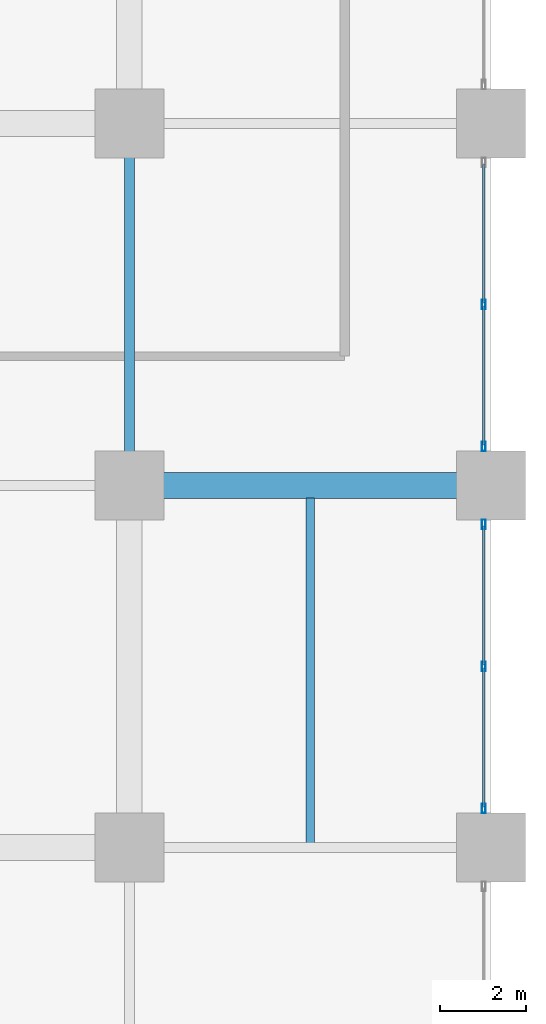
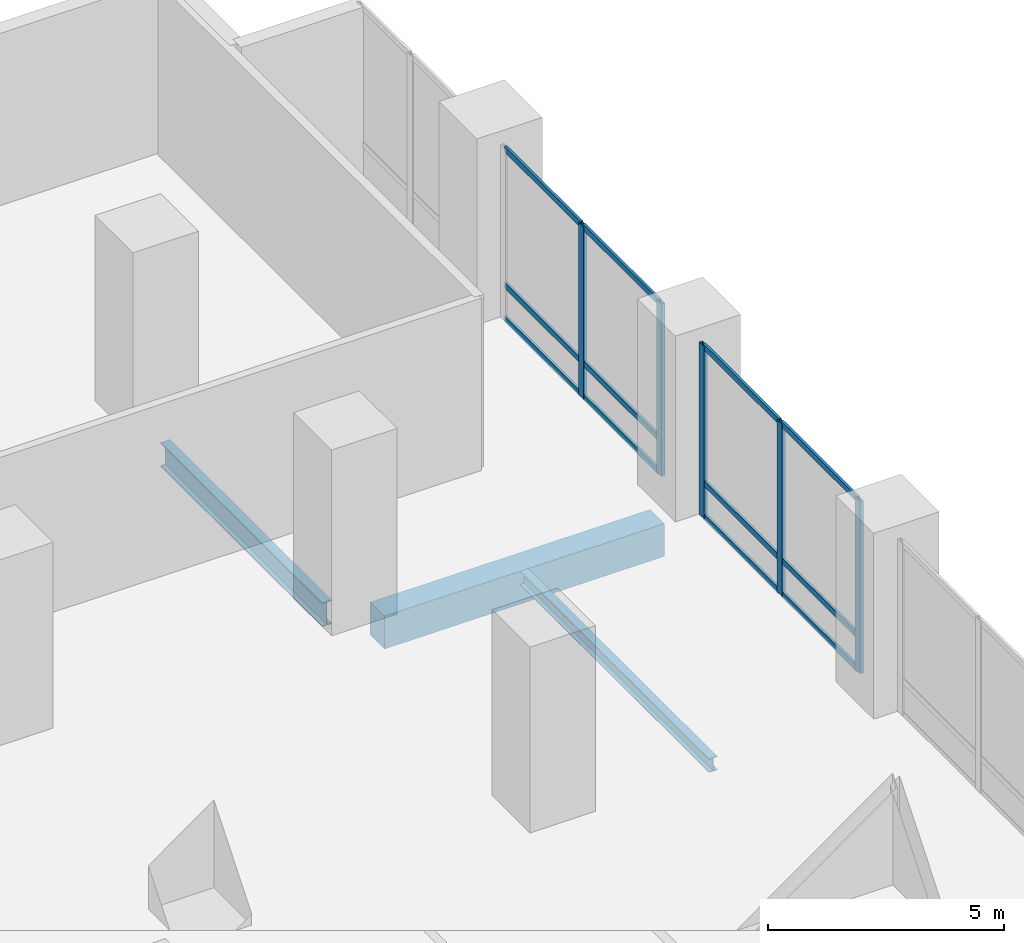
# One storey, part 5 of 22: 17 members, 3 beams, 2 elements without a shape of their own.
"""IFC4 building model written with IfcOpenShell, lengths in metres."""

import ifcopenshell
import ifcopenshell.guid

model = None  # the IFC model being written
_history = None  # IfcOwnerHistory: only IFC2X3 demands one
_inside = {}  # id of a spatial element -> (the spatial element, [elements in it])
_under = {}  # id of a project, library or spatial element -> (it, [spatial elements below it])
_declared = {}  # id of a project -> (the project, [libraries it declares])
_typed = {}  # id of a type object -> (the type object, [elements of that type])
_made_of = {}  # id of a material, layer set ... -> (it, [elements and type objects made of it])


def new_model(schema):
    """Start an empty IFC model of exactly this schema.

    Asked for "IFC4X3", IfcOpenShell would pick the latest addendum, in which some entities
    have other attributes; the version numbers below select the first issue.
    IFC2X3 requires an IfcOwnerHistory on every rooted entity: one is made here for all.
    """
    global model, _history
    if schema == "IFC4X3":
        model = ifcopenshell.file(schema_version=(4, 3, 0, 0))
    else:
        model = ifcopenshell.file(schema=schema)
    _inside.clear()
    _under.clear()
    _declared.clear()
    _typed.clear()
    _made_of.clear()
    _history = None
    if model.schema == "IFC2X3":
        org = make("IfcOrganization", Name="unknown")
        user = make(
            "IfcPersonAndOrganization",
            ThePerson=make("IfcPerson", FamilyName="unknown"),
            TheOrganization=org,
        )
        app = make(
            "IfcApplication",
            ApplicationDeveloper=org,
            Version="unknown",
            ApplicationFullName="unknown",
            ApplicationIdentifier="unknown",
        )
        _history = make(
            "IfcOwnerHistory",
            OwningUser=user,
            OwningApplication=app,
            ChangeAction="ADDED",
            CreationDate=0,
        )
    return model


def make(cls, **values):
    """One entity of the class cls with the attributes given. An attribute that is None is left unset."""
    return model.create_entity(
        cls, **{name: value for name, value in values.items() if value is not None}
    )


def rooted(cls, **values):
    """An entity with a GlobalId (a new one), such as an element, a storey or a relation."""
    return make(cls, GlobalId=ifcopenshell.guid.new(), OwnerHistory=_history, **values)


def si_unit(unit_type, name, prefix=None):
    """IfcSIUnit, for example si_unit("LENGTHUNIT", "METRE", prefix="MILLI")."""
    return make("IfcSIUnit", UnitType=unit_type, Prefix=prefix, Name=name)


def assignment(units):
    """IfcUnitAssignment: the units of a project."""
    return None if units is None else make("IfcUnitAssignment", Units=units)


def point(xyz):
    """IfcCartesianPoint."""
    return None if xyz is None else make("IfcCartesianPoint", Coordinates=xyz)


def direction(xyz):
    """IfcDirection."""
    return None if xyz is None else make("IfcDirection", DirectionRatios=xyz)


def frame(location, z_axis=None, x_axis=None):
    """IfcAxis2Placement3D, a coordinate frame: its origin and axes. An axis left out is left unset."""
    return make(
        "IfcAxis2Placement3D",
        Location=point(location),
        Axis=direction(z_axis),
        RefDirection=direction(x_axis),
    )


def frame_2d(location, x_axis=None):
    """IfcAxis2Placement2D, a coordinate frame in the plane: its origin and x axis."""
    return make(
        "IfcAxis2Placement2D", Location=point(location), RefDirection=direction(x_axis)
    )


def origin():
    """The frame at (0, 0, 0) with its axes left unset."""
    return frame((0.0, 0.0, 0.0))


def origin_2d():
    """The frame at (0, 0) in the plane with its x axis left unset."""
    return frame_2d((0.0, 0.0))


def place(relative_to, where):
    """IfcLocalPlacement: puts the frame where relative to a parent placement (None: the world)."""
    return make(
        "IfcLocalPlacement", PlacementRelTo=relative_to, RelativePlacement=where
    )


def context(
    kind, dimensions, precision=None, world=None, true_north=None, identifier=None
):
    """IfcGeometricRepresentationContext, for example the 3D "Model" context."""
    return make(
        "IfcGeometricRepresentationContext",
        ContextIdentifier=identifier,
        ContextType=kind,
        CoordinateSpaceDimension=dimensions,
        Precision=precision,
        WorldCoordinateSystem=world,
        TrueNorth=true_north,
    )


def subcontext(parent, identifier, kind, view, scale=None):
    """IfcGeometricRepresentationSubContext, for example "Body" below "Model"."""
    return make(
        "IfcGeometricRepresentationSubContext",
        ContextIdentifier=identifier,
        ContextType=kind,
        ParentContext=parent,
        TargetScale=scale,
        TargetView=view,
    )


def project(units=None, contexts=None):
    """IfcProject with its units and contexts."""
    return rooted(
        "IfcProject",
        Name="project",
        RepresentationContexts=contexts,
        UnitsInContext=assignment(units),
    )


def spatial(cls, under=None, at=None, **own):
    """A site, building, storey or space (cls), placed at a placement, below another one or the project."""
    s = rooted(cls, ObjectPlacement=at, **own)
    if under is not None:
        _under.setdefault(under.id(), (under, []))[1].append(s)
    return s


def profile(cls, at=None, kind="AREA", **sizes):
    """A parametric profile (cls). Its sizes go by their IFC names, for example OverallWidth=200.0."""
    return make(cls, ProfileType=kind, Position=at, **sizes)


def rectangle(**sizes):
    """IfcRectangleProfileDef."""
    return profile("IfcRectangleProfileDef", **sizes)


def hollow_rectangle(**sizes):
    """IfcRectangleHollowProfileDef."""
    return profile("IfcRectangleHollowProfileDef", **sizes)


def i_section(**sizes):
    """IfcIShapeProfileDef."""
    return profile("IfcIShapeProfileDef", **sizes)


def extrude(swept, where, along, depth):
    """IfcExtrudedAreaSolid: the profile swept, set in the frame where, extruded along a direction by depth."""
    return make(
        "IfcExtrudedAreaSolid",
        SweptArea=swept,
        Position=where,
        ExtrudedDirection=direction(along),
        Depth=depth,
    )


def shape(context_of_items, identifier, shape_type, items):
    """IfcShapeRepresentation: the items that make up one representation, for example the "Body"."""
    return make(
        "IfcShapeRepresentation",
        ContextOfItems=context_of_items,
        RepresentationIdentifier=identifier,
        RepresentationType=shape_type,
        Items=items,
    )


def material(Name=None, Category=None):
    """IfcMaterial."""
    return make("IfcMaterial", Name=Name, Category=Category)


def layer(
    of_material, thickness, ventilated=None, Name=None, Category=None, Priority=None
):
    """IfcMaterialLayer: one layer of a wall or slab, of a material (None: an air gap)."""
    return make(
        "IfcMaterialLayer",
        Material=of_material,
        LayerThickness=thickness,
        IsVentilated=ventilated,
        Name=Name,
        Category=Category,
        Priority=Priority,
    )


def layer_set(layers, Name=None):
    """IfcMaterialLayerSet."""
    return make("IfcMaterialLayerSet", MaterialLayers=layers, LayerSetName=Name)


def material_profile(
    of_material, cross_section, Name=None, Category=None, Priority=None
):
    """IfcMaterialProfile: a cross section and its material."""
    return make(
        "IfcMaterialProfile",
        Name=Name,
        Material=of_material,
        Profile=cross_section,
        Priority=Priority,
        Category=Category,
    )


def profile_set(profiles, Name=None, composite=None):
    """IfcMaterialProfileSet."""
    return make(
        "IfcMaterialProfileSet",
        Name=Name,
        MaterialProfiles=profiles,
        CompositeProfile=composite,
    )


def made_of(thing, what):
    """Note that an element or type object is made of a material, layer set ...; save() writes the relation."""
    if what is not None:
        _made_of.setdefault(what.id(), (what, []))[1].append(thing)
    return thing


def type_object(cls, material=None, **own):
    """A type object (cls), such as IfcWallType, which elements share."""
    return made_of(rooted(cls, **own), material)


def element(
    cls,
    number,
    at=None,
    inside=None,
    cuts=None,
    type_object=None,
    material=None,
    context=None,
    identifier="Body",
    shape_type=None,
    held_by="IfcProductDefinitionShape",
    body=None,
    shapes=None,
    **own,
):
    """One element of the class cls, such as IfcWall. Its Tag is "e" and its number.

    at: its placement. inside: the storey or other place that contains it. cuts: it is an
    opening in that element (IfcRelVoidsElement). A single representation is given by context,
    identifier, shape_type and body (its items); several are given by shapes. held_by: the class
    of the entity that holds the representations. save() writes the other relations.
    """
    e = rooted(cls, Tag="e%d" % number, ObjectPlacement=at, **own)
    if body is not None:
        shapes = [shape(context, identifier, shape_type, body)]
    if shapes is not None:
        e.Representation = make(held_by, Representations=shapes)
    if inside is not None:
        _inside.setdefault(inside.id(), (inside, []))[1].append(e)
    if cuts is not None:
        rooted(
            "IfcRelVoidsElement", RelatingBuildingElement=cuts, RelatedOpeningElement=e
        )
    if type_object is not None:
        _typed.setdefault(type_object.id(), (type_object, []))[1].append(e)
    return made_of(e, material)


def aggregate(whole, parts):
    """IfcRelAggregates: a whole, such as a stair, and the parts it consists of."""
    return rooted("IfcRelAggregates", RelatingObject=whole, RelatedObjects=parts)


def save(model, path):
    """Write the relations noted so far, then the file.

    IfcRelAggregates (storeys below a building ...), IfcRelContainedInSpatialStructure (elements
    in a storey), IfcRelDefinesByType, IfcRelAssociatesMaterial and IfcRelDeclares: one each for
    every whole, place, type object, material and project.
    """
    for whole, parts in _under.values():
        aggregate(whole, parts)
    for where, things in _inside.values():
        rooted(
            "IfcRelContainedInSpatialStructure",
            RelatedElements=things,
            RelatingStructure=where,
        )
    for kind, things in _typed.values():
        rooted("IfcRelDefinesByType", RelatedObjects=things, RelatingType=kind)
    for what, things in _made_of.values():
        rooted("IfcRelAssociatesMaterial", RelatedObjects=things, RelatingMaterial=what)
    for by, libraries in _declared.values():
        rooted("IfcRelDeclares", RelatingContext=by, RelatedDefinitions=libraries)
    model.write(path)


model = new_model("IFC4")

# Units and contexts
model_context = context("Model", 3, precision=1e-05, world=origin(), true_north=direction((0.0, 1.0)))
body_context = subcontext(model_context, "Body", "Model", "MODEL_VIEW")
ifc_project = project(units=[si_unit("LENGTHUNIT", "METRE"), si_unit("AREAUNIT", "SQUARE_METRE"), si_unit("VOLUMEUNIT", "CUBIC_METRE"), si_unit("PLANEANGLEUNIT", "RADIAN"), si_unit("MASSUNIT", "GRAM", prefix="KILO")], contexts=[model_context])

# Site, building, storey
site_placement = place(None, origin())
site = spatial("IfcSite", under=ifc_project, at=site_placement, CompositionType="ELEMENT")
building_placement = place(site_placement, origin())
building = spatial("IfcBuilding", under=site, at=building_placement, Name="Koriwani Terraces Tower", CompositionType="ELEMENT")
storey_placement = place(building_placement, frame((0.0, 0.0, 10.800048828125)))
storey = spatial("IfcBuildingStorey", under=building, at=storey_placement, Name="L02", CompositionType="ELEMENT", Elevation=10.800048828125)

# Beam
ifc_material_1 = material(Name="Concrete C60/75", Category="concrete")
ifc_material_profile_1 = material_profile(ifc_material_1, rectangle(XDim=0.60009765625, YDim=0.85009765625, at=origin_2d()), Name="Concrete C60/75", Category="LoadBearing")
ifc_profile_set_1 = profile_set([ifc_material_profile_1], Name="Concrete C60/75")
beam_type_1 = type_object("IfcBeamType", Name="BEAM_RC_GRID_600X850", PredefinedType="BEAM", material=ifc_profile_set_1)
beam_1_placement = place(storey_placement, frame((84.780029296875, 25.199951171875, -0.775146484375), z_axis=(1.0, 0.0, 0.0), x_axis=(0.0, 1.0, 0.0)))
element("IfcBeam", 1, at=beam_1_placement, inside=storey, type_object=beam_type_1, Name="L02 Grid Beam D (84.0-92.4m)", PredefinedType="BEAM", context=body_context, shape_type="SweptSolid", body=[
    extrude(rectangle(XDim=0.60009765625, YDim=0.85009765625, at=origin_2d()), origin(), (0.0, 0.0, 1.0), 6.840087890625),
])

# Curtain wall, members
ifc_material_2 = material(Name="Anodised Bronze Aluminium", Category="aluminium")
ifc_layer = layer(ifc_material_2, 0.199951171875, Name="Anodised Bronze Aluminium")
ifc_layer_set = layer_set([ifc_layer], Name="Anodised Bronze Aluminium")
curtain_wall_type = type_object("IfcCurtainWallType", Name="CW_PODIUM_GALLERIA", PredefinedType="NOTDEFINED", material=ifc_layer_set)
curtain_wall_1_placement = place(storey_placement, origin())
curtain_wall_1 = element("IfcCurtainWall", 2, at=curtain_wall_1_placement, inside=storey, type_object=curtain_wall_type, Name="L02 Unitised Curtain Wall (E_TIP) Bay 2", PredefinedType="NOTDEFINED")
ifc_material_profile_2 = material_profile(ifc_material_2, hollow_rectangle(XDim=0.0849609375, YDim=0.219970703125, WallThickness=0.008056640625, at=origin_2d()), Name="Anodised Bronze Aluminium", Category="LoadBearing")
ifc_profile_set_2 = profile_set([ifc_material_profile_2], Name="Anodised Bronze Aluminium")
member_type_1 = type_object("IfcMemberType", Name="CW_MULLION_220X85", PredefinedType="MULLION", material=ifc_profile_set_2)
member_1_placement = place(storey_placement, frame((92.22509765625, 29.39990234375, 0.0), z_axis=(0.0, 0.0, 1.0), x_axis=(1.0, 0.0, 0.0)))
member_1 = element("IfcMember", 3, at=member_1_placement, type_object=member_type_1, Name="CW-POD mullion 2", PredefinedType="MULLION", context=body_context, shape_type="SweptSolid", body=[
    extrude(hollow_rectangle(XDim=0.0849609375, YDim=0.219970703125, WallThickness=0.008056640625, at=origin_2d()), origin(), (0.0, 0.0, 1.0), 4.449951171875),
])
member_2_placement = place(storey_placement, frame((92.22509765625, 26.1025390625, 0.0), z_axis=(0.0, 0.0, 1.0), x_axis=(1.0, 0.0, 0.0)))
member_2 = element("IfcMember", 4, at=member_2_placement, type_object=member_type_1, Name="CW-POD mullion 3", PredefinedType="MULLION", context=body_context, shape_type="SweptSolid", body=[
    extrude(hollow_rectangle(XDim=0.0849609375, YDim=0.219970703125, WallThickness=0.008056640625, at=origin_2d()), origin(), (0.0, 0.0, 1.0), 4.449951171875),
])

curtain_wall_2_placement = place(storey_placement, origin())
curtain_wall_2 = element("IfcCurtainWall", 5, at=curtain_wall_2_placement, inside=storey, type_object=curtain_wall_type, Name="L02 Unitised Curtain Wall (E_TIP) Bay 3", PredefinedType="NOTDEFINED")
member_3_placement = place(storey_placement, frame((92.22509765625, 24.297607421875, 0.0), z_axis=(0.0, 0.0, 1.0), x_axis=(1.0, 0.0, 0.0)))
member_3 = element("IfcMember", 6, at=member_3_placement, type_object=member_type_1, Name="CW-POD mullion 1", PredefinedType="MULLION", context=body_context, shape_type="SweptSolid", body=[
    extrude(hollow_rectangle(XDim=0.0849609375, YDim=0.219970703125, WallThickness=0.008056640625, at=origin_2d()), origin(), (0.0, 0.0, 1.0), 4.449951171875),
])
member_4_placement = place(storey_placement, frame((92.22509765625, 21.0, 0.0), z_axis=(0.0, 0.0, 1.0), x_axis=(1.0, 0.0, 0.0)))
member_4 = element("IfcMember", 7, at=member_4_placement, type_object=member_type_1, Name="CW-POD mullion 2", PredefinedType="MULLION", context=body_context, shape_type="SweptSolid", body=[
    extrude(hollow_rectangle(XDim=0.0849609375, YDim=0.219970703125, WallThickness=0.008056640625, at=origin_2d()), origin(), (0.0, 0.0, 1.0), 4.449951171875),
])
member_5_placement = place(storey_placement, frame((92.22509765625, 17.702392578125, 0.0), z_axis=(0.0, 0.0, 1.0), x_axis=(1.0, 0.0, 0.0)))
member_5 = element("IfcMember", 8, at=member_5_placement, type_object=member_type_1, Name="CW-POD mullion 3", PredefinedType="MULLION", context=body_context, shape_type="SweptSolid", body=[
    extrude(hollow_rectangle(XDim=0.0849609375, YDim=0.219970703125, WallThickness=0.008056640625, at=origin_2d()), origin(), (0.0, 0.0, 1.0), 4.449951171875),
])

# Member
ifc_material_profile_3 = material_profile(ifc_material_2, hollow_rectangle(XDim=0.06494140625, YDim=0.14990234375, WallThickness=0.0048828125, at=origin_2d()), Name="Anodised Bronze Aluminium", Category="LoadBearing")
ifc_profile_set_3 = profile_set([ifc_material_profile_3], Name="Anodised Bronze Aluminium")
member_type_2 = type_object("IfcMemberType", Name="CW_TRANSOM_150X65", PredefinedType="USERDEFINED", material=ifc_profile_set_3)
member_6_placement = place(storey_placement, frame((92.22509765625, 32.655029296875, 0.032470703125), z_axis=(0.0, -1.0, 0.0), x_axis=(1.0, 0.0, 0.0)))
member_6 = element("IfcMember", 9, at=member_6_placement, type_object=member_type_2, Name="CW-POD transom 1.1", ObjectType="TRANSOM", PredefinedType="USERDEFINED", context=body_context, shape_type="SweptSolid", body=[
    extrude(hollow_rectangle(XDim=0.06494140625, YDim=0.14990234375, WallThickness=0.0048828125, at=origin_2d()), origin(), (0.0, 0.0, 1.0), 3.212646484375),
])

member_7_placement = place(storey_placement, frame((92.22509765625, 32.655029296875, 0.89990234375), z_axis=(0.0, -1.0, 0.0), x_axis=(1.0, 0.0, 0.0)))
member_7 = element("IfcMember", 10, at=member_7_placement, type_object=member_type_2, Name="CW-POD transom 1.2", ObjectType="TRANSOM", PredefinedType="USERDEFINED", context=body_context, shape_type="SweptSolid", body=[
    extrude(hollow_rectangle(XDim=0.06494140625, YDim=0.14990234375, WallThickness=0.0048828125, at=origin_2d()), origin(), (0.0, 0.0, 1.0), 3.212646484375),
])

member_8_placement = place(storey_placement, frame((92.22509765625, 32.655029296875, 4.41748046875), z_axis=(0.0, -1.0, 0.0), x_axis=(1.0, 0.0, 0.0)))
member_8 = element("IfcMember", 11, at=member_8_placement, type_object=member_type_2, Name="CW-POD transom 1.3", ObjectType="TRANSOM", PredefinedType="USERDEFINED", context=body_context, shape_type="SweptSolid", body=[
    extrude(hollow_rectangle(XDim=0.06494140625, YDim=0.14990234375, WallThickness=0.0048828125, at=origin_2d()), origin(), (0.0, 0.0, 1.0), 3.212646484375),
])

member_9_placement = place(storey_placement, frame((92.22509765625, 29.357421875, 0.032470703125), z_axis=(0.0, -1.0, 0.0), x_axis=(1.0, 0.0, 0.0)))
member_9 = element("IfcMember", 12, at=member_9_placement, type_object=member_type_2, Name="CW-POD transom 2.1", ObjectType="TRANSOM", PredefinedType="USERDEFINED", context=body_context, shape_type="SweptSolid", body=[
    extrude(hollow_rectangle(XDim=0.06494140625, YDim=0.14990234375, WallThickness=0.0048828125, at=origin_2d()), origin(), (0.0, 0.0, 1.0), 3.21240234375),
])

member_10_placement = place(storey_placement, frame((92.22509765625, 29.357421875, 0.89990234375), z_axis=(0.0, -1.0, 0.0), x_axis=(1.0, 0.0, 0.0)))
member_10 = element("IfcMember", 13, at=member_10_placement, type_object=member_type_2, Name="CW-POD transom 2.2", ObjectType="TRANSOM", PredefinedType="USERDEFINED", context=body_context, shape_type="SweptSolid", body=[
    extrude(hollow_rectangle(XDim=0.06494140625, YDim=0.14990234375, WallThickness=0.0048828125, at=origin_2d()), origin(), (0.0, 0.0, 1.0), 3.21240234375),
])

member_11_placement = place(storey_placement, frame((92.22509765625, 29.357421875, 4.41748046875), z_axis=(0.0, -1.0, 0.0), x_axis=(1.0, 0.0, 0.0)))
member_11 = element("IfcMember", 14, at=member_11_placement, type_object=member_type_2, Name="CW-POD transom 2.3", ObjectType="TRANSOM", PredefinedType="USERDEFINED", context=body_context, shape_type="SweptSolid", body=[
    extrude(hollow_rectangle(XDim=0.06494140625, YDim=0.14990234375, WallThickness=0.0048828125, at=origin_2d()), origin(), (0.0, 0.0, 1.0), 3.21240234375),
])

aggregate(curtain_wall_1, [member_1, member_2, member_6, member_7, member_8, member_9, member_10, member_11])

member_12_placement = place(storey_placement, frame((92.22509765625, 24.2548828125, 0.032470703125), z_axis=(0.0, -1.0, 0.0), x_axis=(1.0, 0.0, 0.0)))
member_12 = element("IfcMember", 15, at=member_12_placement, type_object=member_type_2, Name="CW-POD transom 1.1", ObjectType="TRANSOM", PredefinedType="USERDEFINED", context=body_context, shape_type="SweptSolid", body=[
    extrude(hollow_rectangle(XDim=0.06494140625, YDim=0.14990234375, WallThickness=0.0048828125, at=origin_2d()), origin(), (0.0, 0.0, 1.0), 3.21240234375),
])

member_13_placement = place(storey_placement, frame((92.22509765625, 24.2548828125, 0.89990234375), z_axis=(0.0, -1.0, 0.0), x_axis=(1.0, 0.0, 0.0)))
member_13 = element("IfcMember", 16, at=member_13_placement, type_object=member_type_2, Name="CW-POD transom 1.2", ObjectType="TRANSOM", PredefinedType="USERDEFINED", context=body_context, shape_type="SweptSolid", body=[
    extrude(hollow_rectangle(XDim=0.06494140625, YDim=0.14990234375, WallThickness=0.0048828125, at=origin_2d()), origin(), (0.0, 0.0, 1.0), 3.21240234375),
])

member_14_placement = place(storey_placement, frame((92.22509765625, 24.2548828125, 4.41748046875), z_axis=(0.0, -1.0, 0.0), x_axis=(1.0, 0.0, 0.0)))
member_14 = element("IfcMember", 17, at=member_14_placement, type_object=member_type_2, Name="CW-POD transom 1.3", ObjectType="TRANSOM", PredefinedType="USERDEFINED", context=body_context, shape_type="SweptSolid", body=[
    extrude(hollow_rectangle(XDim=0.06494140625, YDim=0.14990234375, WallThickness=0.0048828125, at=origin_2d()), origin(), (0.0, 0.0, 1.0), 3.21240234375),
])

member_15_placement = place(storey_placement, frame((92.22509765625, 20.95751953125, 0.032470703125), z_axis=(0.0, -1.0, 0.0), x_axis=(1.0, 0.0, 0.0)))
member_15 = element("IfcMember", 18, at=member_15_placement, type_object=member_type_2, Name="CW-POD transom 2.1", ObjectType="TRANSOM", PredefinedType="USERDEFINED", context=body_context, shape_type="SweptSolid", body=[
    extrude(hollow_rectangle(XDim=0.06494140625, YDim=0.14990234375, WallThickness=0.0048828125, at=origin_2d()), origin(), (0.0, 0.0, 1.0), 3.21240234375),
])

member_16_placement = place(storey_placement, frame((92.22509765625, 20.95751953125, 0.89990234375), z_axis=(0.0, -1.0, 0.0), x_axis=(1.0, 0.0, 0.0)))
member_16 = element("IfcMember", 19, at=member_16_placement, type_object=member_type_2, Name="CW-POD transom 2.2", ObjectType="TRANSOM", PredefinedType="USERDEFINED", context=body_context, shape_type="SweptSolid", body=[
    extrude(hollow_rectangle(XDim=0.06494140625, YDim=0.14990234375, WallThickness=0.0048828125, at=origin_2d()), origin(), (0.0, 0.0, 1.0), 3.21240234375),
])

member_17_placement = place(storey_placement, frame((92.22509765625, 20.95751953125, 4.41748046875), z_axis=(0.0, -1.0, 0.0), x_axis=(1.0, 0.0, 0.0)))
member_17 = element("IfcMember", 20, at=member_17_placement, type_object=member_type_2, Name="CW-POD transom 2.3", ObjectType="TRANSOM", PredefinedType="USERDEFINED", context=body_context, shape_type="SweptSolid", body=[
    extrude(hollow_rectangle(XDim=0.06494140625, YDim=0.14990234375, WallThickness=0.0048828125, at=origin_2d()), origin(), (0.0, 0.0, 1.0), 3.21240234375),
])

aggregate(curtain_wall_2, [member_3, member_4, member_5, member_12, member_13, member_14, member_15, member_16, member_17])

# Beams
ifc_material_3 = material(Name="Steel ASTM A572 Grade 50", Category="steel")
ifc_material_profile_4 = material_profile(ifc_material_3, i_section(OverallWidth=0.205078125, OverallDepth=0.35400390625, WebThickness=0.009521484375, FlangeThickness=0.016845703125, at=origin_2d()), Name="Steel ASTM A572 Grade 50", Category="LoadBearing")
ifc_profile_set_4 = profile_set([ifc_material_profile_4], Name="Steel ASTM A572 Grade 50")
beam_type_2 = type_object("IfcBeamType", Name="STEEL_BEAM_W360X79", PredefinedType="JOIST", material=ifc_profile_set_4)
beam_2_placement = place(storey_placement, frame((88.199951171875, 16.905517578125, -0.527099609375), z_axis=(0.0, 1.0, 0.0), x_axis=(-1.0, 0.0, 0.0)))
element("IfcBeam", 21, at=beam_2_placement, inside=storey, type_object=beam_type_2, Name="L02 Secondary Steel Floor Joist X=88.2m", PredefinedType="JOIST", context=body_context, shape_type="SweptSolid", body=[
    extrude(i_section(OverallWidth=0.205078125, OverallDepth=0.35400390625, WebThickness=0.009521484375, FlangeThickness=0.016845703125, at=origin_2d()), origin(), (0.0, 0.0, 1.0), 8.00439453125),
])
ifc_material_profile_5 = material_profile(ifc_material_3, i_section(OverallWidth=0.23095703125, OverallDepth=0.616943359375, WebThickness=0.015380859375, FlangeThickness=0.0244140625, at=origin_2d()), Name="Steel ASTM A572 Grade 50", Category="LoadBearing")
ifc_profile_set_5 = profile_set([ifc_material_profile_5], Name="Steel ASTM A572 Grade 50")
beam_type_3 = type_object("IfcBeamType", Name="STEEL_BEAM_W610X195", PredefinedType="BEAM", material=ifc_profile_set_5)
beam_3_placement = place(storey_placement, frame((84.0, 25.97998046875, -0.658447265625), z_axis=(0.0, 1.0, 0.0), x_axis=(-1.0, 0.0, 0.0)))
element("IfcBeam", 22, at=beam_3_placement, inside=storey, type_object=beam_type_3, Name="L02 Grid Beam 11 (25.2-33.6m)", PredefinedType="BEAM", context=body_context, shape_type="SweptSolid", body=[
    extrude(i_section(OverallWidth=0.23095703125, OverallDepth=0.616943359375, WebThickness=0.015380859375, FlangeThickness=0.0244140625, at=origin_2d()), origin(), (0.0, 0.0, 1.0), 6.840087890625),
])

save(model, "model.ifc")
